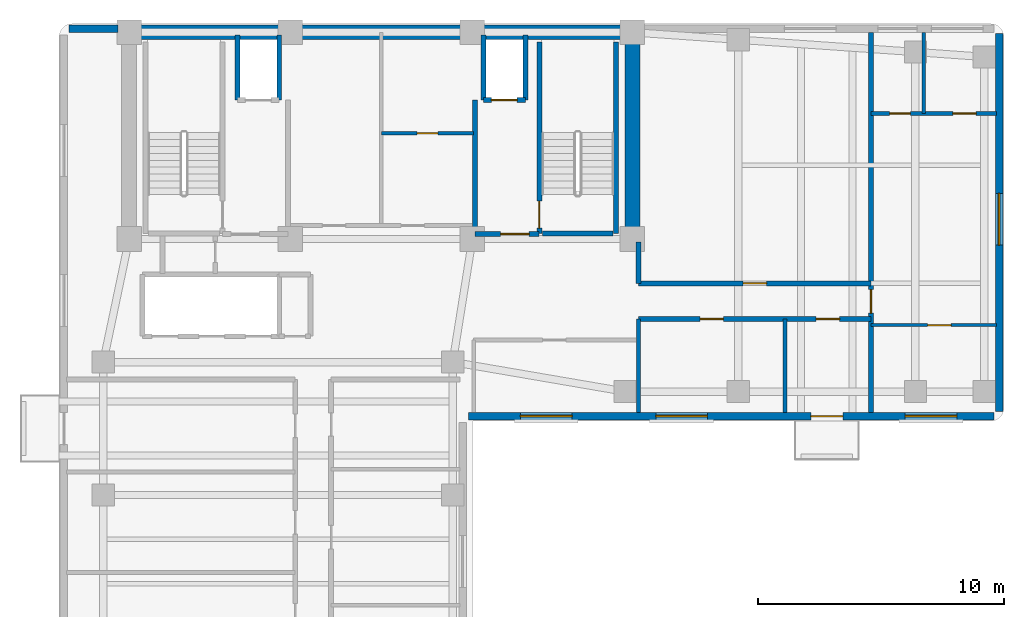
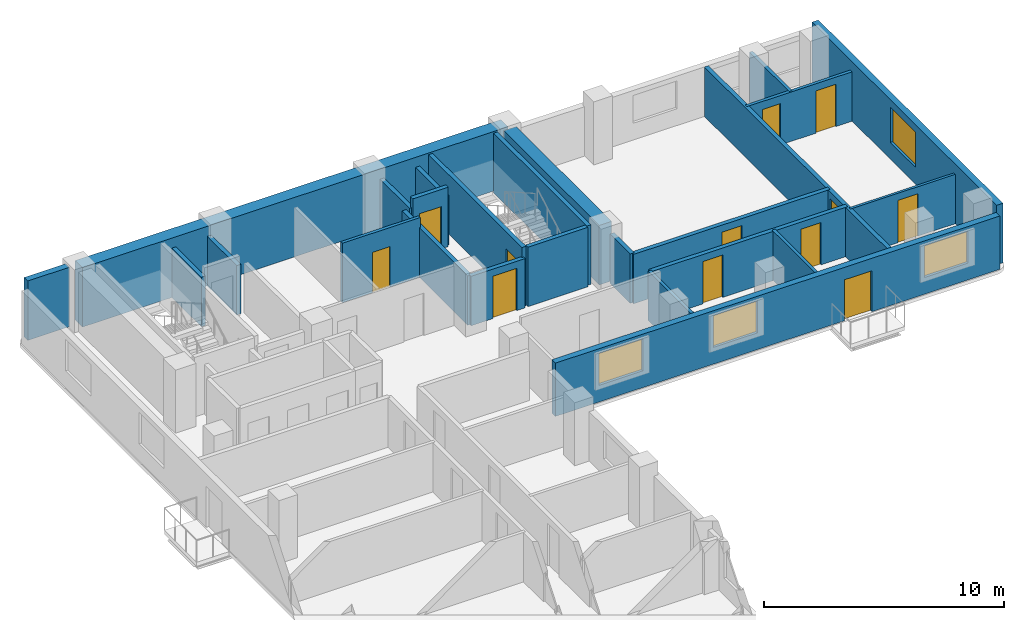
# One storey, part 4 of 7: 25 walls, 12 doors, 4 windows, 16 openings.
"""IFC4 building model written with IfcOpenShell, lengths in metres."""

from ifc_helpers import new_model, si_unit, direction, frame, frame_2d, origin, place, context, subcontext, project, spatial, rectangle, extrude, material, layer, layer_set, type_object, element, fill, save


model = new_model("IFC4")

# Units and contexts
model_context = context("Model", 3, precision=1e-05, world=origin(), true_north=direction((0.0, 1.0)))
body_context = subcontext(model_context, "Body", "Model", "MODEL_VIEW")
ifc_project = project(units=[si_unit("LENGTHUNIT", "METRE"), si_unit("AREAUNIT", "SQUARE_METRE"), si_unit("VOLUMEUNIT", "CUBIC_METRE"), si_unit("PLANEANGLEUNIT", "RADIAN"), si_unit("MASSUNIT", "GRAM", prefix="KILO")], contexts=[model_context])

# Site, building, storey
site_placement = place(None, origin())
site = spatial("IfcSite", under=ifc_project, at=site_placement, CompositionType="ELEMENT")
building_placement = place(site_placement, origin())
building = spatial("IfcBuilding", under=site, at=building_placement, Name="Kuzgunbayir Cultural Tower", CompositionType="ELEMENT")
storey_placement = place(building_placement, frame((0.0, 0.0, 188.800048828125)))
storey = spatial("IfcBuildingStorey", under=building, at=storey_placement, Name="L55", CompositionType="ELEMENT", Elevation=188.800048828125)

# Walls
ifc_material_1 = material(Name="Concrete C60/75", Category="concrete")
ifc_layer_1 = layer(ifc_material_1, 0.60009765625)
ifc_layer_set_1 = layer_set([ifc_layer_1], Name="Concrete C60/75")
wall_type_1 = type_object("IfcWallType", Name="WAL-CORE-600", PredefinedType="SHEAR", material=ifc_layer_set_1)
wall_1_placement = place(storey_placement, frame((6.449951171875, 42.199951171875, 0.0), z_axis=(0.0, 0.0, 1.0), x_axis=(1.0, 0.0, 0.0)))
element("IfcWall", 1, at=wall_1_placement, inside=storey, type_object=wall_type_1, Name="L55 T1 Core North Shear Wall", PredefinedType="SHEAR", context=body_context, shape_type="SweptSolid", body=[
    extrude(rectangle(XDim=20.449951171875, YDim=0.60009765625, at=frame_2d((10.22509765625, 0.0))), origin(), (0.0, 0.0, 1.0), 3.02001953125),
])
wall_2_placement = place(storey_placement, frame((26.89990234375, 33.800048828125, 0.0), z_axis=(0.0, 0.0, 1.0), x_axis=(0.0, 1.0, 0.0)))
element("IfcWall", 2, at=wall_2_placement, inside=storey, type_object=wall_type_1, Name="L55 T1 Core East Shear Wall", PredefinedType="SHEAR", context=body_context, shape_type="SweptSolid", body=[
    extrude(rectangle(XDim=7.949951171875, YDim=0.60009765625, at=frame_2d((3.97509765625, 0.0))), origin(), (0.0, 0.0, 1.0), 3.02001953125),
])
ifc_material_2 = material(Name="Anatolian Cream Limestone", Category="masonry")
ifc_layer_2 = layer(ifc_material_2, 0.300048828125)
ifc_layer_set_2 = layer_set([ifc_layer_2], Name="Anatolian Cream Limestone")
wall_type_2 = type_object("IfcWallType", Name="WAL-EXT-STONE-300", PredefinedType="STANDARD", material=ifc_layer_set_2)
wall_3_placement = place(storey_placement, frame((6.0, 42.35009765625, 0.0), z_axis=(0.0, 0.0, 1.0), x_axis=(-1.0, 0.0, 0.0)))
element("IfcWall", 3, at=wall_3_placement, inside=storey, type_object=wall_type_2, Name="L55 Core North-West Spandrel Link", PredefinedType="STANDARD", context=body_context, shape_type="SweptSolid", body=[
    extrude(rectangle(XDim=2.0, YDim=0.300048828125, at=frame_2d((1.0, 0.0))), origin(), (0.0, 0.0, 1.0), 3.02001953125),
])

# Wall, openings, door, windows
wall_4_placement = place(storey_placement, frame((20.25, 26.60009765625, 0.0), z_axis=(0.0, 0.0, 1.0), x_axis=(1.0, 0.0, 0.0)))
wall_4 = element("IfcWall", 4, at=wall_4_placement, inside=storey, type_object=wall_type_2, Name="L55 Wing B South Limestone Wall", PredefinedType="STANDARD", context=body_context, shape_type="SweptSolid", body=[
    extrude(rectangle(XDim=21.35009765625, YDim=0.300048828125, at=frame_2d((10.675048828125, 0.0))), origin(), (0.0, 0.0, 1.0), 2.7099609375),
])
opening_1_placement = place(wall_4_placement, frame((13.89990234375, 0.0, 0.0)))
opening_1 = element("IfcOpeningElement", 5, at=opening_1_placement, cuts=wall_4, Name="Opening BD-13", PredefinedType="OPENING", context=body_context, shape_type="SweptSolid", body=[
    extrude(rectangle(XDim=1.300048828125, YDim=2.080078125, at=frame_2d((0.64990234375, 1.0400390625))), frame((0.0, 0.16015625, 0.0), z_axis=(0.0, -1.0, 0.0), x_axis=(1.0, 0.0, 0.0)), (0.0, 0.0, 1.0), 0.320068359375),
])
opening_2_placement = place(wall_4_placement, frame((17.72998046875, 0.0, 0.85009765625)))
opening_2 = element("IfcOpeningElement", 6, at=opening_2_placement, cuts=wall_4, Name="Opening WR-21", PredefinedType="OPENING", context=body_context, shape_type="SweptSolid", body=[
    extrude(rectangle(XDim=2.10009765625, YDim=1.610107421875, at=frame_2d((1.050048828125, 0.80517578125))), frame((0.0, 0.16015625, 0.0), z_axis=(0.0, -1.0, 0.0), x_axis=(1.0, 0.0, 0.0)), (0.0, 0.0, 1.0), 0.320068359375),
])
opening_3_placement = place(wall_4_placement, frame((2.10009765625, 0.0, 0.85009765625)))
opening_3 = element("IfcOpeningElement", 7, at=opening_3_placement, cuts=wall_4, Name="Opening WR-21", PredefinedType="OPENING", context=body_context, shape_type="SweptSolid", body=[
    extrude(rectangle(XDim=2.10009765625, YDim=1.610107421875, at=frame_2d((1.050048828125, 0.80517578125))), frame((0.0, 0.16015625, 0.0), z_axis=(0.0, -1.0, 0.0), x_axis=(1.0, 0.0, 0.0)), (0.0, 0.0, 1.0), 0.320068359375),
])
opening_4_placement = place(wall_4_placement, frame((7.60009765625, 0.0, 0.85009765625)))
opening_4 = element("IfcOpeningElement", 8, at=opening_4_placement, cuts=wall_4, Name="Opening WR-21", PredefinedType="OPENING", context=body_context, shape_type="SweptSolid", body=[
    extrude(rectangle(XDim=2.10009765625, YDim=1.610107421875, at=frame_2d((1.050048828125, 0.80517578125))), frame((0.0, 0.16015625, 0.0), z_axis=(0.0, -1.0, 0.0), x_axis=(1.0, 0.0, 0.0)), (0.0, 0.0, 1.0), 0.320068359375),
])
ifc_material_3 = material(Name="Thermally Broken Glazed Aluminium", Category="aluminium")
door_type_1 = type_object("IfcDoorType", Name="DR-BALCONY-135", OperationType="SLIDING_TO_LEFT", PredefinedType="DOOR", material=ifc_material_3)
door_1_placement = place(opening_1_placement, origin())
door_1 = element("IfcDoor", 9, at=door_1_placement, inside=storey, type_object=door_type_1, Name="L55 South Balcony Sliding Door BAL-L55-WB2", OperationType="SLIDING_TO_LEFT", OverallHeight=2.080078125, OverallWidth=1.300048828125, PredefinedType="DOOR", context=body_context, shape_type="SweptSolid", body=[
    extrude(rectangle(XDim=1.300048828125, YDim=2.080078125, at=frame_2d((0.64990234375, 1.0400390625))), frame((0.0, 0.02490234375, 0.0), z_axis=(0.0, -1.0, 0.0), x_axis=(1.0, 0.0, 0.0)), (0.0, 0.0, 1.0), 0.050048828125),
])
fill(opening_1, door_1)
ifc_material_4 = material(Name="Solar-Control Triple Glazing", Category="glass")
window_type = type_object("IfcWindowType", Name="WIN-RESID-21", PartitioningType="SINGLE_PANEL", PredefinedType="WINDOW", material=ifc_material_4)
window_1_placement = place(opening_2_placement, origin())
window_1 = element("IfcWindow", 10, at=window_1_placement, inside=storey, type_object=window_type, Name="L55 WBS Facade Window 6", OverallHeight=1.610107421875, OverallWidth=2.10009765625, PartitioningType="SINGLE_PANEL", PredefinedType="WINDOW", context=body_context, shape_type="SweptSolid", body=[
    extrude(rectangle(XDim=2.10009765625, YDim=1.610107421875, at=frame_2d((1.050048828125, 0.80517578125))), frame((0.0, 0.030029296875, 0.0), z_axis=(0.0, -1.0, 0.0), x_axis=(1.0, 0.0, 0.0)), (0.0, 0.0, 1.0), 0.06005859375),
])
fill(opening_2, window_1)
window_2_placement = place(opening_3_placement, origin())
window_2 = element("IfcWindow", 11, at=window_2_placement, inside=storey, type_object=window_type, Name="L55 WBS Facade Window 14", OverallHeight=1.610107421875, OverallWidth=2.10009765625, PartitioningType="SINGLE_PANEL", PredefinedType="WINDOW", context=body_context, shape_type="SweptSolid", body=[
    extrude(rectangle(XDim=2.10009765625, YDim=1.610107421875, at=frame_2d((1.050048828125, 0.80517578125))), frame((0.0, 0.030029296875, 0.0), z_axis=(0.0, -1.0, 0.0), x_axis=(1.0, 0.0, 0.0)), (0.0, 0.0, 1.0), 0.06005859375),
])
fill(opening_3, window_2)
window_3_placement = place(opening_4_placement, origin())
window_3 = element("IfcWindow", 12, at=window_3_placement, inside=storey, type_object=window_type, Name="L55 WBS Facade Window 15", OverallHeight=1.610107421875, OverallWidth=2.10009765625, PartitioningType="SINGLE_PANEL", PredefinedType="WINDOW", context=body_context, shape_type="SweptSolid", body=[
    extrude(rectangle(XDim=2.10009765625, YDim=1.610107421875, at=frame_2d((1.050048828125, 0.80517578125))), frame((0.0, 0.030029296875, 0.0), z_axis=(0.0, -1.0, 0.0), x_axis=(1.0, 0.0, 0.0)), (0.0, 0.0, 1.0), 0.06005859375),
])
fill(opening_4, window_3)

# Wall, opening, window
wall_5_placement = place(storey_placement, frame((41.800048828125, 26.800048828125, 0.0), z_axis=(0.0, 0.0, 1.0), x_axis=(0.0, 1.0, 0.0)))
wall_5 = element("IfcWall", 13, at=wall_5_placement, inside=storey, type_object=wall_type_2, Name="L55 Wing B East Limestone Wall", PredefinedType="STANDARD", context=body_context, shape_type="SweptSolid", body=[
    extrude(rectangle(XDim=15.349853515625, YDim=0.300048828125, at=frame_2d((7.6748046875, 0.0))), origin(), (0.0, 0.0, 1.0), 3.02001953125),
])
opening_5_placement = place(wall_5_placement, frame((6.75, 0.0, 0.85009765625)))
opening_5 = element("IfcOpeningElement", 14, at=opening_5_placement, cuts=wall_5, Name="Opening WR-21", PredefinedType="OPENING", context=body_context, shape_type="SweptSolid", body=[
    extrude(rectangle(XDim=2.10009765625, YDim=1.800048828125, at=frame_2d((1.050048828125, 0.89990234375))), frame((0.0, 0.16015625, 0.0), z_axis=(0.0, -1.0, 0.0), x_axis=(1.0, 0.0, 0.0)), (0.0, 0.0, 1.0), 0.320068359375),
])
window_4_placement = place(opening_5_placement, origin())
window_4 = element("IfcWindow", 15, at=window_4_placement, inside=storey, type_object=window_type, Name="L55 WBE Facade Window 5", OverallHeight=1.800048828125, OverallWidth=2.10009765625, PartitioningType="SINGLE_PANEL", PredefinedType="WINDOW", context=body_context, shape_type="SweptSolid", body=[
    extrude(rectangle(XDim=2.10009765625, YDim=1.800048828125, at=frame_2d((1.050048828125, 0.89990234375))), frame((0.0, 0.030029296875, 0.0), z_axis=(0.0, -1.0, 0.0), x_axis=(1.0, 0.0, 0.0)), (0.0, 0.0, 1.0), 0.06005859375),
])
fill(opening_5, window_4)

# Wall, opening, door
ifc_material_5 = material(Name="Acoustic Double-Stud Drywall", Category="gypsum")
ifc_layer_3 = layer(ifc_material_5, 0.14990234375)
ifc_layer_set_3 = layer_set([ifc_layer_3], Name="Acoustic Double-Stud Drywall")
wall_type_3 = type_object("IfcWallType", Name="WAL-PART-ACOUSTIC-150", PredefinedType="PARTITIONING", material=ifc_layer_set_3)
wall_6_placement = place(storey_placement, frame((16.699951171875, 38.10009765625, 0.0), z_axis=(0.0, 0.0, 1.0), x_axis=(1.0, 0.0, 0.0)))
wall_6 = element("IfcWall", 16, at=wall_6_placement, inside=storey, type_object=wall_type_3, Name="L55 Sky Core Store Divider", PredefinedType="PARTITIONING", context=body_context, shape_type="SweptSolid", body=[
    extrude(rectangle(XDim=3.75, YDim=0.14990234375, at=frame_2d((1.875, 0.0))), origin(), (0.0, 0.0, 1.0), 3.02001953125),
])
opening_6_placement = place(wall_6_placement, frame((1.449951171875, 0.0, 0.0)))
opening_6 = element("IfcOpeningElement", 17, at=opening_6_placement, cuts=wall_6, Name="Opening DC-85", PredefinedType="OPENING", context=body_context, shape_type="SweptSolid", body=[
    extrude(rectangle(XDim=0.85009765625, YDim=2.050048828125, at=frame_2d((0.425048828125, 1.02490234375))), frame((0.0, 0.0849609375, 0.0), z_axis=(0.0, -1.0, 0.0), x_axis=(1.0, 0.0, 0.0)), (0.0, 0.0, 1.0), 0.169921875),
])
ifc_material_6 = material(Name="Fire-Rated Veneered Oak Leaf", Category="wood")
door_type_2 = type_object("IfcDoorType", Name="DR-CORE-85", OperationType="NOTDEFINED", PredefinedType="DOOR", material=ifc_material_6)
door_2_placement = place(opening_6_placement, origin())
door_2 = element("IfcDoor", 18, at=door_2_placement, inside=storey, type_object=door_type_2, Name="L55 Core Electrical Store Door", OperationType="SINGLE_SWING_LEFT", OverallHeight=2.050048828125, OverallWidth=0.85009765625, PredefinedType="DOOR", context=body_context, shape_type="SweptSolid", body=[
    extrude(rectangle(XDim=0.85009765625, YDim=2.050048828125, at=frame_2d((0.425048828125, 1.02490234375))), frame((0.0, 0.02490234375, 0.0), z_axis=(0.0, -1.0, 0.0), x_axis=(1.0, 0.0, 0.0)), (0.0, 0.0, 1.0), 0.050048828125),
])
fill(opening_6, door_2)

# Walls
for number, where, z_axis, x_axis, name in (
    (19, (27.14990234375, 26.75, 0.0), (0.0, 0.0, 1.0), (0.0, 1.0, 0.0), "L55 Waist Alcove East Wall"),
    (20, (33.10009765625, 26.75, 0.0), (0.0, 0.0, 1.0), (0.0, 1.0, 0.0), "L55 Wing B South Divider 1"),
):
    element("IfcWall", number, at=place(storey_placement, frame(where, z_axis=z_axis, x_axis=x_axis)), inside=storey, type_object=wall_type_3, Name=name, PredefinedType="PARTITIONING", context=body_context, shape_type="SweptSolid", body=[
        extrude(rectangle(XDim=3.800048828125, YDim=0.14990234375, at=frame_2d((1.89990234375, 0.0))), origin(), (0.0, 0.0, 1.0), 2.510009765625),
    ])
ifc_material_7 = material(Name="Aerated Concrete Blockwork", Category="masonry")
ifc_layer_4 = layer(ifc_material_7, 0.199951171875)
ifc_layer_set_4 = layer_set([ifc_layer_4], Name="Aerated Concrete Blockwork")
wall_type_4 = type_object("IfcWallType", Name="WAL-PART-FIRE-200", PredefinedType="PARTITIONING", material=ifc_layer_set_4)
wall_7_placement = place(storey_placement, frame((20.5, 34.0, 0.0), z_axis=(0.0, 0.0, 1.0), x_axis=(0.0, 1.0, 0.0)))
element("IfcWall", 21, at=wall_7_placement, inside=storey, type_object=wall_type_4, Name="L55 FFL-2 Lobby West Fire Wall", PredefinedType="PARTITIONING", context=body_context, shape_type="SweptSolid", body=[
    extrude(rectangle(XDim=5.449951171875, YDim=0.199951171875, at=frame_2d((2.72509765625, 0.0))), origin(), (0.0, 0.0, 1.0), 2.510009765625),
])

# Wall, opening, door
wall_8_placement = place(storey_placement, frame((20.5, 34.0, 0.0), z_axis=(0.0, 0.0, 1.0), x_axis=(1.0, 0.0, 0.0)))
wall_8 = element("IfcWall", 22, at=wall_8_placement, inside=storey, type_object=wall_type_4, Name="L55 FFL-2 Lobby South Fire Wall", PredefinedType="PARTITIONING", context=body_context, shape_type="SweptSolid", body=[
    extrude(rectangle(XDim=2.60009765625, YDim=0.199951171875, at=frame_2d((1.300048828125, 0.0))), origin(), (0.0, 0.0, 1.0), 2.510009765625),
])
opening_7_placement = place(wall_8_placement, frame((1.050048828125, 0.0, 0.0)))
opening_7 = element("IfcOpeningElement", 23, at=opening_7_placement, cuts=wall_8, Name="Opening DR-FFL-90", PredefinedType="OPENING", context=body_context, shape_type="SweptSolid", body=[
    extrude(rectangle(XDim=1.14990234375, YDim=2.14990234375, at=frame_2d((0.574951171875, 1.074951171875))), frame((0.0, 0.10986328125, 0.0), z_axis=(0.0, -1.0, 0.0), x_axis=(1.0, 0.0, 0.0)), (0.0, 0.0, 1.0), 0.219970703125),
])
ifc_material_8 = material(Name="Steel S355J2", Category="steel")
door_type_3 = type_object("IfcDoorType", Name="DR-FFL-90", OperationType="NOTDEFINED", PredefinedType="DOOR", material=ifc_material_8)
door_3_placement = place(opening_7_placement, origin())
door_3 = element("IfcDoor", 24, at=door_3_placement, inside=storey, type_object=door_type_3, Name="L55 Firefighting Lobby 2 Door", OperationType="SINGLE_SWING_RIGHT", OverallHeight=2.14990234375, OverallWidth=1.14990234375, PredefinedType="DOOR", context=body_context, shape_type="SweptSolid", body=[
    extrude(rectangle(XDim=1.14990234375, YDim=2.14990234375, at=frame_2d((0.574951171875, 1.074951171875))), frame((0.0, 0.02490234375, 0.0), z_axis=(0.0, -1.0, 0.0), x_axis=(1.0, 0.0, 0.0)), (0.0, 0.0, 1.0), 0.050048828125),
])
fill(opening_7, door_3)

# Wall, openings, doors
wall_9_placement = place(storey_placement, frame((27.14990234375, 30.550048828125, 0.0), z_axis=(0.0, 0.0, 1.0), x_axis=(1.0, 0.0, 0.0)))
wall_9 = element("IfcWall", 25, at=wall_9_placement, inside=storey, type_object=wall_type_4, Name="L55 Wing B Residence Corridor South Wall", PredefinedType="PARTITIONING", context=body_context, shape_type="SweptSolid", body=[
    extrude(rectangle(XDim=9.4501953125, YDim=0.199951171875, at=frame_2d((4.72509765625, 0.0))), origin(), (0.0, 0.0, 1.0), 2.510009765625),
])
opening_8_placement = place(wall_9_placement, frame((2.5, 0.0, 0.0)))
opening_8 = element("IfcOpeningElement", 26, at=opening_8_placement, cuts=wall_9, Name="Opening DI-90", PredefinedType="OPENING", context=body_context, shape_type="SweptSolid", body=[
    extrude(rectangle(XDim=0.949951171875, YDim=2.14990234375, at=frame_2d((0.47509765625, 1.074951171875))), frame((0.0, 0.10986328125, 0.0), z_axis=(0.0, -1.0, 0.0), x_axis=(1.0, 0.0, 0.0)), (0.0, 0.0, 1.0), 0.219970703125),
])
opening_9_placement = place(wall_9_placement, frame((7.219970703125, 0.0, 0.0)))
opening_9 = element("IfcOpeningElement", 27, at=opening_9_placement, cuts=wall_9, Name="Opening DI-90", PredefinedType="OPENING", context=body_context, shape_type="SweptSolid", body=[
    extrude(rectangle(XDim=0.949951171875, YDim=2.14990234375, at=frame_2d((0.47509765625, 1.074951171875))), frame((0.0, 0.10986328125, 0.0), z_axis=(0.0, -1.0, 0.0), x_axis=(1.0, 0.0, 0.0)), (0.0, 0.0, 1.0), 0.219970703125),
])
ifc_material_9 = material(Name="Veneered Oak Single Leaf", Category="wood")
door_type_4 = type_object("IfcDoorType", Name="DR-INT-90", OperationType="NOTDEFINED", PredefinedType="DOOR", material=ifc_material_9)
door_4_placement = place(opening_8_placement, origin())
door_4 = element("IfcDoor", 28, at=door_4_placement, inside=storey, type_object=door_type_4, Name="L55 Wing B Seminar Boardroom 1 Door", OperationType="SINGLE_SWING_LEFT", OverallHeight=2.14990234375, OverallWidth=0.949951171875, PredefinedType="DOOR", context=body_context, shape_type="SweptSolid", body=[
    extrude(rectangle(XDim=0.949951171875, YDim=2.14990234375, at=frame_2d((0.47509765625, 1.074951171875))), frame((0.0, 0.02490234375, 0.0), z_axis=(0.0, -1.0, 0.0), x_axis=(1.0, 0.0, 0.0)), (0.0, 0.0, 1.0), 0.050048828125),
])
fill(opening_8, door_4)
door_5_placement = place(opening_9_placement, origin())
door_5 = element("IfcDoor", 29, at=door_5_placement, inside=storey, type_object=door_type_4, Name="L55 Wing B Seminar Boardroom 2 Door", OperationType="SINGLE_SWING_RIGHT", OverallHeight=2.14990234375, OverallWidth=0.949951171875, PredefinedType="DOOR", context=body_context, shape_type="SweptSolid", body=[
    extrude(rectangle(XDim=0.949951171875, YDim=2.14990234375, at=frame_2d((0.47509765625, 1.074951171875))), frame((0.0, 0.02490234375, 0.0), z_axis=(0.0, -1.0, 0.0), x_axis=(1.0, 0.0, 0.0)), (0.0, 0.0, 1.0), 0.050048828125),
])
fill(opening_9, door_5)

# Wall, opening, door
wall_10_placement = place(storey_placement, frame((27.14990234375, 32.0, 0.0), z_axis=(0.0, 0.0, 1.0), x_axis=(1.0, 0.0, 0.0)))
wall_10 = element("IfcWall", 30, at=wall_10_placement, inside=storey, type_object=wall_type_4, Name="L55 Wing B Residence Corridor North Wall", PredefinedType="PARTITIONING", context=body_context, shape_type="SweptSolid", body=[
    extrude(rectangle(XDim=9.4501953125, YDim=0.199951171875, at=frame_2d((4.72509765625, 0.0))), origin(), (0.0, 0.0, 1.0), 2.510009765625),
])
opening_10_placement = place(wall_10_placement, frame((4.25, 0.0, 0.0)))
opening_10 = element("IfcOpeningElement", 31, at=opening_10_placement, cuts=wall_10, Name="Opening DI-90", PredefinedType="OPENING", context=body_context, shape_type="SweptSolid", body=[
    extrude(rectangle(XDim=0.949951171875, YDim=2.14990234375, at=frame_2d((0.47509765625, 1.074951171875))), frame((0.0, 0.10986328125, 0.0), z_axis=(0.0, -1.0, 0.0), x_axis=(1.0, 0.0, 0.0)), (0.0, 0.0, 1.0), 0.219970703125),
])
door_6_placement = place(opening_10_placement, origin())
door_6 = element("IfcDoor", 32, at=door_6_placement, inside=storey, type_object=door_type_4, Name="L55 Residents Wellness Consultation Studio 1 Door", OperationType="SINGLE_SWING_LEFT", OverallHeight=2.14990234375, OverallWidth=0.949951171875, PredefinedType="DOOR", context=body_context, shape_type="SweptSolid", body=[
    extrude(rectangle(XDim=0.949951171875, YDim=2.14990234375, at=frame_2d((0.47509765625, 1.074951171875))), frame((0.0, 0.02490234375, 0.0), z_axis=(0.0, -1.0, 0.0), x_axis=(1.0, 0.0, 0.0)), (0.0, 0.0, 1.0), 0.050048828125),
])
fill(opening_10, door_6)

# Wall
wall_11_placement = place(storey_placement, frame((27.14990234375, 32.0, 0.0), z_axis=(0.0, 0.0, 1.0), x_axis=(0.0, 1.0, 0.0)))
element("IfcWall", 33, at=wall_11_placement, inside=storey, type_object=wall_type_4, Name="L55 Wing B Residence North Core Closure Wall", PredefinedType="PARTITIONING", context=body_context, shape_type="SweptSolid", body=[
    extrude(rectangle(XDim=1.679931640625, YDim=0.199951171875, at=frame_2d((0.83984375, 0.0))), origin(), (0.0, 0.0, 1.0), 2.510009765625),
])

# Wall, opening, door
wall_12_placement = place(storey_placement, frame((36.60009765625, 26.75, 0.0), z_axis=(0.0, 0.0, 1.0), x_axis=(0.0, 1.0, 0.0)))
wall_12 = element("IfcWall", 34, at=wall_12_placement, inside=storey, type_object=wall_type_4, Name="L55 Apartment D Party Wall", PredefinedType="PARTITIONING", context=body_context, shape_type="SweptSolid", body=[
    extrude(rectangle(XDim=15.449951171875, YDim=0.199951171875, at=frame_2d((7.72509765625, 0.0))), origin(), (0.0, 0.0, 1.0), 2.510009765625),
])
opening_11_placement = place(wall_12_placement, frame((4.0400390625, 0.0, 0.0)))
opening_11 = element("IfcOpeningElement", 35, at=opening_11_placement, cuts=wall_12, Name="Opening DR-APT-60", PredefinedType="OPENING", context=body_context, shape_type="SweptSolid", body=[
    extrude(rectangle(XDim=0.949951171875, YDim=2.14990234375, at=frame_2d((0.47509765625, 1.074951171875))), frame((0.0, 0.10986328125, 0.0), z_axis=(0.0, -1.0, 0.0), x_axis=(1.0, 0.0, 0.0)), (0.0, 0.0, 1.0), 0.219970703125),
])
ifc_material_10 = material(Name="Acoustic Fire Timber Leaf", Category="wood")
door_type_5 = type_object("IfcDoorType", Name="DR-APT-60", OperationType="NOTDEFINED", PredefinedType="DOOR", material=ifc_material_10)
door_7_placement = place(opening_11_placement, origin())
door_7 = element("IfcDoor", 36, at=door_7_placement, inside=storey, type_object=door_type_5, Name="L55 Apartment D Entrance", OperationType="SINGLE_SWING_LEFT", OverallHeight=2.14990234375, OverallWidth=0.949951171875, PredefinedType="DOOR", context=body_context, shape_type="SweptSolid", body=[
    extrude(rectangle(XDim=0.949951171875, YDim=2.14990234375, at=frame_2d((0.47509765625, 1.074951171875))), frame((0.0, 0.02490234375, 0.0), z_axis=(0.0, -1.0, 0.0), x_axis=(1.0, 0.0, 0.0)), (0.0, 0.0, 1.0), 0.050048828125),
])
fill(opening_11, door_7)

ifc_material_11 = material(Name="Framed Gypsum Partition", Category="gypsum")
ifc_layer_5 = layer(ifc_material_11, 0.1201171875)
ifc_layer_set_5 = layer_set([ifc_layer_5], Name="Framed Gypsum Partition")
wall_type_5 = type_object("IfcWallType", Name="WAL-PART-INT-120", PredefinedType="PARTITIONING", material=ifc_layer_set_5)
wall_13_placement = place(storey_placement, frame((36.60009765625, 30.300048828125, 0.0), z_axis=(0.0, 0.0, 1.0), x_axis=(1.0, 0.0, 0.0)))
wall_13 = element("IfcWall", 37, at=wall_13_placement, inside=storey, type_object=wall_type_5, Name="L55 Flat D Bedroom Wall", PredefinedType="PARTITIONING", context=body_context, shape_type="SweptSolid", body=[
    extrude(rectangle(XDim=5.099853515625, YDim=0.1201171875, at=frame_2d((2.5498046875, 0.0))), origin(), (0.0, 0.0, 1.0), 2.510009765625),
])
opening_12_placement = place(wall_13_placement, frame((2.300048828125, 0.0, 0.0)))
opening_12 = element("IfcOpeningElement", 38, at=opening_12_placement, cuts=wall_13, Name="Opening DI-90", PredefinedType="OPENING", context=body_context, shape_type="SweptSolid", body=[
    extrude(rectangle(XDim=0.949951171875, YDim=2.14990234375, at=frame_2d((0.47509765625, 1.074951171875))), frame((0.0, 0.070068359375, 0.0), z_axis=(0.0, -1.0, 0.0), x_axis=(1.0, 0.0, 0.0)), (0.0, 0.0, 1.0), 0.14013671875),
])
door_8_placement = place(opening_12_placement, origin())
door_8 = element("IfcDoor", 39, at=door_8_placement, inside=storey, type_object=door_type_4, Name="L55 Apartment D Bedroom Door", OperationType="SINGLE_SWING_RIGHT", OverallHeight=2.14990234375, OverallWidth=0.949951171875, PredefinedType="DOOR", context=body_context, shape_type="SweptSolid", body=[
    extrude(rectangle(XDim=0.949951171875, YDim=2.14990234375, at=frame_2d((0.47509765625, 1.074951171875))), frame((0.0, 0.02490234375, 0.0), z_axis=(0.0, -1.0, 0.0), x_axis=(1.0, 0.0, 0.0)), (0.0, 0.0, 1.0), 0.050048828125),
])
fill(opening_12, door_8)

# Wall, openings, doors
ifc_material_12 = material(Name="Moisture-Resistant Tile Partition", Category="gypsum")
ifc_layer_6 = layer(ifc_material_12, 0.14990234375)
ifc_layer_set_6 = layer_set([ifc_layer_6], Name="Moisture-Resistant Tile Partition")
wall_type_6 = type_object("IfcWallType", Name="WAL-PART-WET-150", PredefinedType="PARTITIONING", material=ifc_layer_set_6)
wall_14_placement = place(storey_placement, frame((36.60009765625, 38.89990234375, 0.0), z_axis=(0.0, 0.0, 1.0), x_axis=(1.0, 0.0, 0.0)))
wall_14 = element("IfcWall", 40, at=wall_14_placement, inside=storey, type_object=wall_type_6, Name="L55 Flat D Service Wall", PredefinedType="PARTITIONING", context=body_context, shape_type="SweptSolid", body=[
    extrude(rectangle(XDim=5.099853515625, YDim=0.14990234375, at=frame_2d((2.5498046875, 0.0))), origin(), (0.0, 0.0, 1.0), 2.510009765625),
])
opening_13_placement = place(wall_14_placement, frame((0.75, 0.0, 0.0)))
opening_13 = element("IfcOpeningElement", 41, at=opening_13_placement, cuts=wall_14, Name="Opening DW-85", PredefinedType="OPENING", context=body_context, shape_type="SweptSolid", body=[
    extrude(rectangle(XDim=0.85009765625, YDim=2.10009765625, at=frame_2d((0.425048828125, 1.050048828125))), frame((0.0, 0.0849609375, 0.0), z_axis=(0.0, -1.0, 0.0), x_axis=(1.0, 0.0, 0.0)), (0.0, 0.0, 1.0), 0.169921875),
])
opening_14_placement = place(wall_14_placement, frame((3.320068359375, 0.0, 0.0)))
opening_14 = element("IfcOpeningElement", 42, at=opening_14_placement, cuts=wall_14, Name="Opening DI-90", PredefinedType="OPENING", context=body_context, shape_type="SweptSolid", body=[
    extrude(rectangle(XDim=0.949951171875, YDim=2.14990234375, at=frame_2d((0.47509765625, 1.074951171875))), frame((0.0, 0.0849609375, 0.0), z_axis=(0.0, -1.0, 0.0), x_axis=(1.0, 0.0, 0.0)), (0.0, 0.0, 1.0), 0.169921875),
])
door_9_placement = place(opening_14_placement, origin())
door_9 = element("IfcDoor", 43, at=door_9_placement, inside=storey, type_object=door_type_4, Name="L55 Apartment D Kitchen Door", OperationType="SINGLE_SWING_RIGHT", OverallHeight=2.14990234375, OverallWidth=0.949951171875, PredefinedType="DOOR", context=body_context, shape_type="SweptSolid", body=[
    extrude(rectangle(XDim=0.949951171875, YDim=2.14990234375, at=frame_2d((0.47509765625, 1.074951171875))), frame((0.0, 0.02490234375, 0.0), z_axis=(0.0, -1.0, 0.0), x_axis=(1.0, 0.0, 0.0)), (0.0, 0.0, 1.0), 0.050048828125),
])
fill(opening_14, door_9)
ifc_material_13 = material(Name="Laminate Moisture-Resistant Leaf", Category="wood")
door_type_6 = type_object("IfcDoorType", Name="DR-WET-85", OperationType="NOTDEFINED", PredefinedType="DOOR", material=ifc_material_13)
door_10_placement = place(opening_13_placement, origin())
door_10 = element("IfcDoor", 44, at=door_10_placement, inside=storey, type_object=door_type_6, Name="L55 Apartment D Bathroom Door", OperationType="SINGLE_SWING_LEFT", OverallHeight=2.10009765625, OverallWidth=0.85009765625, PredefinedType="DOOR", context=body_context, shape_type="SweptSolid", body=[
    extrude(rectangle(XDim=0.85009765625, YDim=2.10009765625, at=frame_2d((0.425048828125, 1.050048828125))), frame((0.0, 0.02490234375, 0.0), z_axis=(0.0, -1.0, 0.0), x_axis=(1.0, 0.0, 0.0)), (0.0, 0.0, 1.0), 0.050048828125),
])
fill(opening_13, door_10)

# Wall
wall_15_placement = place(storey_placement, frame((38.739990234375, 38.89990234375, 0.0), z_axis=(0.0, 0.0, 1.0), x_axis=(0.0, 1.0, 0.0)))
element("IfcWall", 45, at=wall_15_placement, inside=storey, type_object=wall_type_6, Name="L55 Flat D Bath Divider", PredefinedType="PARTITIONING", context=body_context, shape_type="SweptSolid", body=[
    extrude(rectangle(XDim=3.300048828125, YDim=0.14990234375, at=frame_2d((1.64990234375, 0.0))), origin(), (0.0, 0.0, 1.0), 2.510009765625),
])

# Wall, opening, door
ifc_material_14 = material(Name="Concrete C40/50", Category="concrete")
ifc_layer_7 = layer(ifc_material_14, 0.199951171875)
ifc_layer_set_7 = layer_set([ifc_layer_7], Name="Concrete C40/50")
wall_type_7 = type_object("IfcWallType", Name="WAL-SHAFT-200", PredefinedType="MOVABLE", material=ifc_layer_set_7)
wall_16_placement = place(storey_placement, frame((20.85009765625, 39.449951171875, 0.0), z_axis=(0.0, 0.0, 1.0), x_axis=(1.0, 0.0, 0.0)))
wall_16 = element("IfcWall", 46, at=wall_16_placement, inside=storey, type_object=wall_type_7, Name="L55 FFL-2 Lift Front Wall", PredefinedType="MOVABLE", context=body_context, shape_type="SweptSolid", body=[
    extrude(rectangle(XDim=1.699951171875, YDim=0.199951171875, at=frame_2d((0.85009765625, 0.0))), origin(), (0.0, 0.0, 1.0), 3.02001953125),
])
opening_15_placement = place(wall_16_placement, frame((0.320068359375, 0.0, 0.0)))
opening_15 = element("IfcOpeningElement", 47, at=opening_15_placement, cuts=wall_16, Name="Opening LD", PredefinedType="OPENING", context=body_context, shape_type="SweptSolid", body=[
    extrude(rectangle(XDim=1.050048828125, YDim=2.14990234375, at=frame_2d((0.52490234375, 1.074951171875))), frame((0.0, 0.10986328125, 0.0), z_axis=(0.0, -1.0, 0.0), x_axis=(1.0, 0.0, 0.0)), (0.0, 0.0, 1.0), 0.219970703125),
])
ifc_material_15 = material(Name="Brushed Stainless Steel", Category="steel")
door_type_7 = type_object("IfcDoorType", Name="DR-LIFT-LANDING", OperationType="SLIDING_TO_LEFT", PredefinedType="DOOR", material=ifc_material_15)
door_11_placement = place(opening_15_placement, origin())
door_11 = element("IfcDoor", 48, at=door_11_placement, inside=storey, type_object=door_type_7, Name="L55 Lift FFL-2 Landing Door", OperationType="SLIDING_TO_LEFT", OverallHeight=2.14990234375, OverallWidth=1.050048828125, PredefinedType="DOOR", context=body_context, shape_type="SweptSolid", body=[
    extrude(rectangle(XDim=1.050048828125, YDim=2.14990234375, at=frame_2d((0.52490234375, 1.074951171875))), frame((0.0, 0.02490234375, 0.0), z_axis=(0.0, -1.0, 0.0), x_axis=(1.0, 0.0, 0.0)), (0.0, 0.0, 1.0), 0.050048828125),
])
fill(opening_15, door_11)

# Walls
for number, where, z_axis, x_axis, name in (
    (49, (10.85009765625, 39.449951171875, 0.0), (0.0, 0.0, 1.0), (0.0, 1.0, 0.0), "L55 FFL-1 Shaft West Wall"),
    (50, (12.550048828125, 39.449951171875, 0.0), (0.0, 0.0, 1.0), (0.0, 1.0, 0.0), "L55 FFL-1 Shaft East Wall"),
    (51, (20.85009765625, 39.449951171875, 0.0), (0.0, 0.0, 1.0), (0.0, 1.0, 0.0), "L55 FFL-2 Shaft West Wall"),
    (52, (22.550048828125, 39.449951171875, 0.0), (0.0, 0.0, 1.0), (0.0, 1.0, 0.0), "L55 FFL-2 Shaft East Wall"),
):
    element("IfcWall", number, at=place(storey_placement, frame(where, z_axis=z_axis, x_axis=x_axis)), inside=storey, type_object=wall_type_7, Name=name, PredefinedType="MOVABLE", context=body_context, shape_type="SweptSolid", body=[
        extrude(rectangle(XDim=2.650146484375, YDim=0.199951171875, at=frame_2d((1.3251953125, 0.0))), origin(), (0.0, 0.0, 1.0), 2.510009765625),
    ])

# Wall, opening, door
ifc_layer_8 = layer(ifc_material_14, 0.199951171875)
ifc_layer_set_8 = layer_set([ifc_layer_8], Name="Concrete C40/50")
wall_type_8 = type_object("IfcWallType", Name="WAL-STAIR-RC-200", PredefinedType="SHEAR", material=ifc_layer_set_8)
wall_17_placement = place(storey_placement, frame((23.1201171875, 34.02001953125, 0.0), z_axis=(0.0, 0.0, 1.0), x_axis=(0.0, 1.0, 0.0)))
wall_17 = element("IfcWall", 53, at=wall_17_placement, inside=storey, type_object=wall_type_8, Name="L55 Stair ST-2 West Structural Wall", PredefinedType="SHEAR", context=body_context, shape_type="SweptSolid", body=[
    extrude(rectangle(XDim=7.780029296875, YDim=0.199951171875, at=frame_2d((3.89013671875, 0.0))), origin(), (0.0, 0.0, 1.0), 3.02001953125),
])
opening_16_placement = place(wall_17_placement, frame((0.219970703125, 0.0, 0.0)))
opening_16 = element("IfcOpeningElement", 54, at=opening_16_placement, cuts=wall_17, Name="Opening DR-STAIR-90", PredefinedType="OPENING", context=body_context, shape_type="SweptSolid", body=[
    extrude(rectangle(XDim=1.10009765625, YDim=2.14990234375, at=frame_2d((0.550048828125, 1.074951171875))), frame((0.0, 0.10986328125, 0.0), z_axis=(0.0, -1.0, 0.0), x_axis=(1.0, 0.0, 0.0)), (0.0, 0.0, 1.0), 0.219970703125),
])
door_type_8 = type_object("IfcDoorType", Name="DR-STAIR-90", OperationType="NOTDEFINED", PredefinedType="DOOR", material=ifc_material_8)
door_12_placement = place(opening_16_placement, origin())
door_12 = element("IfcDoor", 55, at=door_12_placement, inside=storey, type_object=door_type_8, Name="L55 Stair ST-2 Fire Door", OperationType="SINGLE_SWING_LEFT", OverallHeight=2.14990234375, OverallWidth=1.10009765625, PredefinedType="DOOR", context=body_context, shape_type="SweptSolid", body=[
    extrude(rectangle(XDim=1.10009765625, YDim=2.14990234375, at=frame_2d((0.550048828125, 1.074951171875))), frame((0.0, 0.02490234375, 0.0), z_axis=(0.0, -1.0, 0.0), x_axis=(1.0, 0.0, 0.0)), (0.0, 0.0, 1.0), 0.050048828125),
])
fill(opening_16, door_12)

# Walls
wall_18_placement = place(storey_placement, frame((26.239990234375, 34.02001953125, 0.0), z_axis=(0.0, 0.0, 1.0), x_axis=(0.0, 1.0, 0.0)))
element("IfcWall", 56, at=wall_18_placement, inside=storey, type_object=wall_type_8, Name="L55 Stair ST-2 East Structural Wall", PredefinedType="SHEAR", context=body_context, shape_type="SweptSolid", body=[
    extrude(rectangle(XDim=7.780029296875, YDim=0.199951171875, at=frame_2d((3.89013671875, 0.0))), origin(), (0.0, 0.0, 1.0), 3.02001953125),
])
wall_19_placement = place(storey_placement, frame((23.239990234375, 34.02001953125, 0.0), z_axis=(0.0, 0.0, 1.0), x_axis=(1.0, 0.0, 0.0)))
element("IfcWall", 57, at=wall_19_placement, inside=storey, type_object=wall_type_8, Name="L55 Stair ST-2 South Structural Wall", PredefinedType="SHEAR", context=body_context, shape_type="SweptSolid", body=[
    extrude(rectangle(XDim=2.880126953125, YDim=0.199951171875, at=frame_2d((1.43994140625, 0.0))), origin(), (0.0, 0.0, 1.0), 3.02001953125),
])

save(model, "model.ifc")
